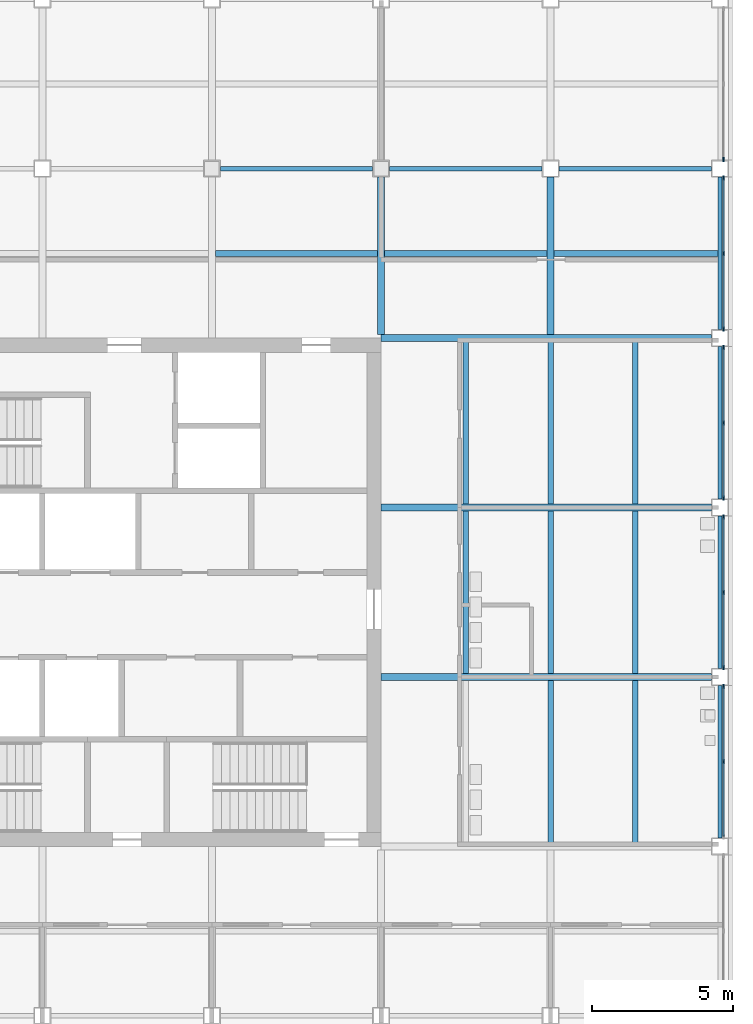
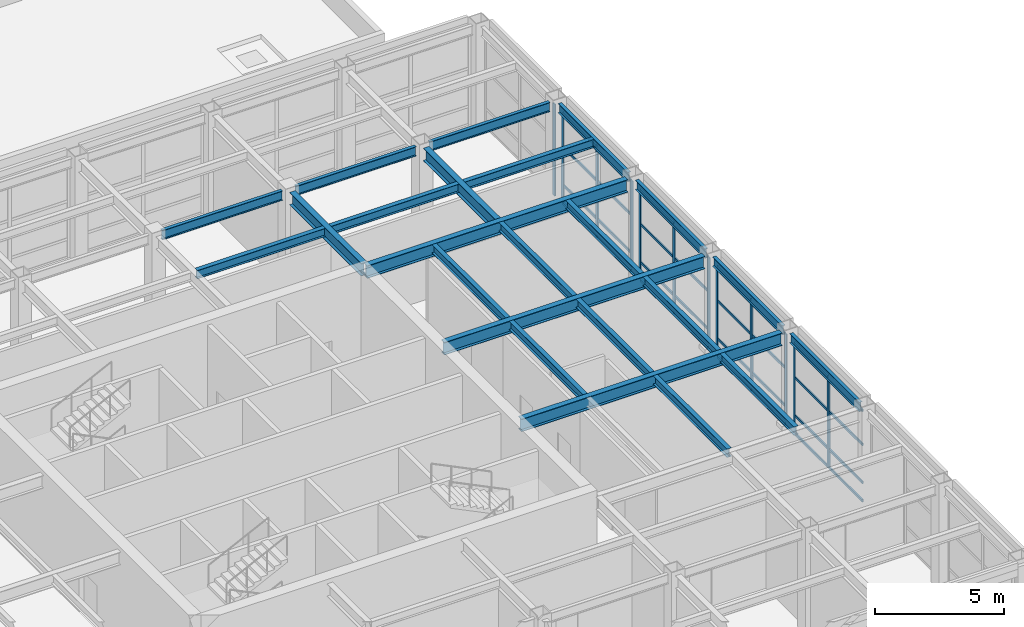
# One storey, part 13 of 67: 44 members, 23 beams, 5 elements without a shape of their own.
"""IFC4 building model written with IfcOpenShell, lengths in metres."""

from ifc_helpers import new_model, si_unit, direction, frame, origin, origin_2d, place, context, subcontext, project, spatial, rectangle, i_section, extrude, material, material_profile, profile_set, type_object, element, aggregate, save


model = new_model("IFC4")

# Units and contexts
model_context = context("Model", 3, precision=1e-05, world=origin(), true_north=direction((0.0, 1.0)))
body_context = subcontext(model_context, "Body", "Model", "MODEL_VIEW")
ifc_project = project(units=[si_unit("LENGTHUNIT", "METRE"), si_unit("AREAUNIT", "SQUARE_METRE"), si_unit("VOLUMEUNIT", "CUBIC_METRE"), si_unit("PLANEANGLEUNIT", "RADIAN"), si_unit("MASSUNIT", "GRAM", prefix="KILO")], contexts=[model_context])

# Site, building, storey
site_placement = place(None, origin())
site = spatial("IfcSite", under=ifc_project, at=site_placement, CompositionType="ELEMENT")
building_placement = place(site_placement, origin())
building = spatial("IfcBuilding", under=site, at=building_placement, Name="Aravalli Gate Trade Fair Centre", CompositionType="ELEMENT")
storey_placement = place(building_placement, frame((0.0, 0.0, 5.0)))
storey = spatial("IfcBuildingStorey", under=building, at=storey_placement, Name="L01", CompositionType="ELEMENT", Elevation=5.0)

# Beams
ifc_material_1 = material(Name="Steel E350", Category="steel")
ifc_material_profile_1 = material_profile(ifc_material_1, i_section(OverallWidth=0.25, OverallDepth=0.60009765625, WebThickness=0.01123046875, FlangeThickness=0.021240234375, at=origin_2d()), Name="ISWB 600")
ifc_profile_set_1 = profile_set([ifc_material_profile_1], Name="Steel E350")
beam_type_1 = type_object("IfcBeamType", Name="Wing core to perimeter girder ISWB 600 (podium floors)", PredefinedType="BEAM", material=ifc_profile_set_1)
for number, where, z_axis, x_axis, name in (
    (1, (190.0, 109.0, 4.5), (1.0, 0.0, 0.0), (0.0, 1.0, 0.0), "Core to perimeter girder PE1 L02"),
    (2, (190.0, 115.0, 4.5), (1.0, 0.0, 0.0), (0.0, 1.0, 0.0), "Core to perimeter girder PE2 L02"),
    (3, (190.0, 121.0, 4.5), (1.0, 0.0, 0.0), (0.0, 1.0, 0.0), "Core to perimeter girder PE3 L02"),
):
    element("IfcBeam", number, at=place(storey_placement, frame(where, z_axis=z_axis, x_axis=x_axis)), inside=storey, type_object=beam_type_1, Name=name, PredefinedType="BEAM", context=body_context, shape_type="SweptSolid", body=[
        extrude(i_section(OverallWidth=0.25, OverallDepth=0.60009765625, WebThickness=0.01123046875, FlangeThickness=0.021240234375, at=origin_2d()), origin(), (0.0, 0.0, 1.0), 11.699951171875),
    ])
beam_1_placement = place(storey_placement, frame((190.0, 121.125, 4.5), z_axis=(0.0, 1.0, 0.0), x_axis=(-1.0, 0.0, 0.0)))
element("IfcBeam", 4, at=beam_1_placement, inside=storey, type_object=beam_type_1, Name="Core to perimeter girder PN3a L02", PredefinedType="BEAM", context=body_context, shape_type="SweptSolid", body=[
    extrude(i_section(OverallWidth=0.25, OverallDepth=0.60009765625, WebThickness=0.01123046875, FlangeThickness=0.021240234375, at=origin_2d()), origin(), (0.0, 0.0, 1.0), 5.574951171875),
])
ifc_material_profile_2 = material_profile(ifc_material_1, i_section(OverallWidth=0.25, OverallDepth=0.60009765625, WebThickness=0.01123046875, FlangeThickness=0.021240234375, at=origin_2d()), Name="ISWB 600")
ifc_profile_set_2 = profile_set([ifc_material_profile_2], Name="Steel E350")
beam_type_2 = type_object("IfcBeamType", Name="Wing corner transfer girder ISWB 600 (podium floors)", PredefinedType="BEAM", material=ifc_profile_set_2)
beam_2_placement = place(storey_placement, frame((196.0, 121.125, 4.5), z_axis=(0.0, 1.0, 0.0), x_axis=(-1.0, 0.0, 0.0)))
element("IfcBeam", 5, at=beam_2_placement, inside=storey, type_object=beam_type_2, Name="Corner transfer girder CNEya L02", PredefinedType="BEAM", context=body_context, shape_type="SweptSolid", body=[
    extrude(i_section(OverallWidth=0.25, OverallDepth=0.60009765625, WebThickness=0.01123046875, FlangeThickness=0.021240234375, at=origin_2d()), origin(), (0.0, 0.0, 1.0), 5.574951171875),
])

# Curtain wall, members
ifc_material_2 = material(Name="Aluminium and glass", Category="aluminium")
curtain_wall_type = type_object("IfcCurtainWallType", Name="Wing curtain wall", PredefinedType="NOTDEFINED", material=ifc_material_2)
curtain_wall_1_placement = place(storey_placement, origin())
curtain_wall_1 = element("IfcCurtainWall", 6, at=curtain_wall_1_placement, inside=storey, type_object=curtain_wall_type, Name="Curtain wall E2 L01", PredefinedType="NOTDEFINED")
ifc_material_3 = material(Name="Aluminium", Category="aluminium")
ifc_material_profile_3 = material_profile(ifc_material_3, rectangle(XDim=0.06005859375, YDim=0.159912109375, at=origin_2d()), Name="Wing curtain wall mullion 60 x 160")
ifc_profile_set_3 = profile_set([ifc_material_profile_3], Name="Aluminium")
member_type_1 = type_object("IfcMemberType", Name="Wing curtain wall mullion 60 x 160", PredefinedType="MULLION", material=ifc_profile_set_3)
member_1_placement = place(storey_placement, frame((202.125, 106.0, 0.0), z_axis=(0.0, 0.0, 1.0), x_axis=(-1.0, 0.0, 0.0)))
member_1 = element("IfcMember", 7, at=member_1_placement, type_object=member_type_1, Name="TCW1 mullion 2", PredefinedType="MULLION", context=body_context, shape_type="SweptSolid", body=[
    extrude(rectangle(XDim=0.06005859375, YDim=0.159912109375, at=origin_2d()), origin(), (0.0, 0.0, 1.0), 4.35009765625),
])
member_2_placement = place(storey_placement, frame((202.125, 108.669921875, 0.0), z_axis=(0.0, 0.0, 1.0), x_axis=(-1.0, 0.0, 0.0)))
member_2 = element("IfcMember", 8, at=member_2_placement, type_object=member_type_1, Name="TCW1 mullion 3", PredefinedType="MULLION", context=body_context, shape_type="SweptSolid", body=[
    extrude(rectangle(XDim=0.06005859375, YDim=0.159912109375, at=origin_2d()), origin(), (0.0, 0.0, 1.0), 4.35009765625),
])

curtain_wall_2_placement = place(storey_placement, origin())
curtain_wall_2 = element("IfcCurtainWall", 9, at=curtain_wall_2_placement, inside=storey, type_object=curtain_wall_type, Name="Curtain wall E3 L01", PredefinedType="NOTDEFINED")
member_3_placement = place(storey_placement, frame((202.125, 109.330078125, 0.0), z_axis=(0.0, 0.0, 1.0), x_axis=(-1.0, 0.0, 0.0)))
member_3 = element("IfcMember", 10, at=member_3_placement, type_object=member_type_1, Name="TCW1 mullion 1", PredefinedType="MULLION", context=body_context, shape_type="SweptSolid", body=[
    extrude(rectangle(XDim=0.06005859375, YDim=0.159912109375, at=origin_2d()), origin(), (0.0, 0.0, 1.0), 4.35009765625),
])
member_4_placement = place(storey_placement, frame((202.125, 112.0, 0.0), z_axis=(0.0, 0.0, 1.0), x_axis=(-1.0, 0.0, 0.0)))
member_4 = element("IfcMember", 11, at=member_4_placement, type_object=member_type_1, Name="TCW1 mullion 2", PredefinedType="MULLION", context=body_context, shape_type="SweptSolid", body=[
    extrude(rectangle(XDim=0.06005859375, YDim=0.159912109375, at=origin_2d()), origin(), (0.0, 0.0, 1.0), 4.35009765625),
])
member_5_placement = place(storey_placement, frame((202.125, 114.669921875, 0.0), z_axis=(0.0, 0.0, 1.0), x_axis=(-1.0, 0.0, 0.0)))
member_5 = element("IfcMember", 12, at=member_5_placement, type_object=member_type_1, Name="TCW1 mullion 3", PredefinedType="MULLION", context=body_context, shape_type="SweptSolid", body=[
    extrude(rectangle(XDim=0.06005859375, YDim=0.159912109375, at=origin_2d()), origin(), (0.0, 0.0, 1.0), 4.35009765625),
])

curtain_wall_3_placement = place(storey_placement, origin())
curtain_wall_3 = element("IfcCurtainWall", 13, at=curtain_wall_3_placement, inside=storey, type_object=curtain_wall_type, Name="Curtain wall E4 L01", PredefinedType="NOTDEFINED")
member_6_placement = place(storey_placement, frame((202.125, 115.330078125, 0.0), z_axis=(0.0, 0.0, 1.0), x_axis=(-1.0, 0.0, 0.0)))
member_6 = element("IfcMember", 14, at=member_6_placement, type_object=member_type_1, Name="TCW1 mullion 1", PredefinedType="MULLION", context=body_context, shape_type="SweptSolid", body=[
    extrude(rectangle(XDim=0.06005859375, YDim=0.159912109375, at=origin_2d()), origin(), (0.0, 0.0, 1.0), 4.35009765625),
])
member_7_placement = place(storey_placement, frame((202.125, 118.0, 0.0), z_axis=(0.0, 0.0, 1.0), x_axis=(-1.0, 0.0, 0.0)))
member_7 = element("IfcMember", 15, at=member_7_placement, type_object=member_type_1, Name="TCW1 mullion 2", PredefinedType="MULLION", context=body_context, shape_type="SweptSolid", body=[
    extrude(rectangle(XDim=0.06005859375, YDim=0.159912109375, at=origin_2d()), origin(), (0.0, 0.0, 1.0), 4.35009765625),
])
member_8_placement = place(storey_placement, frame((202.125, 120.669921875, 0.0), z_axis=(0.0, 0.0, 1.0), x_axis=(-1.0, 0.0, 0.0)))
member_8 = element("IfcMember", 16, at=member_8_placement, type_object=member_type_1, Name="TCW1 mullion 3", PredefinedType="MULLION", context=body_context, shape_type="SweptSolid", body=[
    extrude(rectangle(XDim=0.06005859375, YDim=0.159912109375, at=origin_2d()), origin(), (0.0, 0.0, 1.0), 4.35009765625),
])

curtain_wall_4_placement = place(storey_placement, origin())
curtain_wall_4 = element("IfcCurtainWall", 17, at=curtain_wall_4_placement, inside=storey, type_object=curtain_wall_type, Name="Curtain wall E5 L01", PredefinedType="NOTDEFINED")
member_9_placement = place(storey_placement, frame((202.125, 121.330078125, 0.0), z_axis=(0.0, 0.0, 1.0), x_axis=(-1.0, 0.0, 0.0)))
member_9 = element("IfcMember", 18, at=member_9_placement, type_object=member_type_1, Name="TCW1 mullion 1", PredefinedType="MULLION", context=body_context, shape_type="SweptSolid", body=[
    extrude(rectangle(XDim=0.06005859375, YDim=0.159912109375, at=origin_2d()), origin(), (0.0, 0.0, 1.0), 4.35009765625),
])
member_10_placement = place(storey_placement, frame((202.125, 124.0, 0.0), z_axis=(0.0, 0.0, 1.0), x_axis=(-1.0, 0.0, 0.0)))
member_10 = element("IfcMember", 19, at=member_10_placement, type_object=member_type_1, Name="TCW1 mullion 2", PredefinedType="MULLION", context=body_context, shape_type="SweptSolid", body=[
    extrude(rectangle(XDim=0.06005859375, YDim=0.159912109375, at=origin_2d()), origin(), (0.0, 0.0, 1.0), 4.35009765625),
])
member_11_placement = place(storey_placement, frame((202.125, 126.669921875, 0.0), z_axis=(0.0, 0.0, 1.0), x_axis=(-1.0, 0.0, 0.0)))
member_11 = element("IfcMember", 20, at=member_11_placement, type_object=member_type_1, Name="TCW1 mullion 3", PredefinedType="MULLION", context=body_context, shape_type="SweptSolid", body=[
    extrude(rectangle(XDim=0.06005859375, YDim=0.159912109375, at=origin_2d()), origin(), (0.0, 0.0, 1.0), 4.35009765625),
])

# Curtain wall, member
curtain_wall_5_placement = place(storey_placement, origin())
curtain_wall_5 = element("IfcCurtainWall", 21, at=curtain_wall_5_placement, inside=storey, type_object=curtain_wall_type, Name="Curtain wall E6 L01", PredefinedType="NOTDEFINED")
member_12_placement = place(storey_placement, frame((202.125, 127.330078125, 0.0), z_axis=(0.0, 0.0, 1.0), x_axis=(-1.0, 0.0, 0.0)))
member_12 = element("IfcMember", 22, at=member_12_placement, type_object=member_type_1, Name="TCW1 mullion 1", PredefinedType="MULLION", context=body_context, shape_type="SweptSolid", body=[
    extrude(rectangle(XDim=0.06005859375, YDim=0.159912109375, at=origin_2d()), origin(), (0.0, 0.0, 1.0), 4.35009765625),
])
aggregate(curtain_wall_5, [member_12])

# Member
ifc_material_profile_4 = material_profile(ifc_material_3, rectangle(XDim=0.06005859375, YDim=0.1201171875, at=origin_2d()), Name="Wing curtain wall transom 60 x 120")
ifc_profile_set_4 = profile_set([ifc_material_profile_4], Name="Aluminium")
member_type_2 = type_object("IfcMemberType", Name="Wing curtain wall transom 60 x 120", PredefinedType="USERDEFINED", material=ifc_profile_set_4)
member_13_placement = place(storey_placement, frame((202.125, 103.360107421875, 0.030029296875), z_axis=(0.0, 1.0, 0.0), x_axis=(-1.0, 0.0, 0.0)))
member_13 = element("IfcMember", 23, at=member_13_placement, type_object=member_type_2, Name="TCW1 transom 1.1", ObjectType="TRANSOM", PredefinedType="USERDEFINED", context=body_context, shape_type="SweptSolid", body=[
    extrude(rectangle(XDim=0.06005859375, YDim=0.1201171875, at=origin_2d()), origin(), (0.0, 0.0, 1.0), 2.60986328125),
])

member_14_placement = place(storey_placement, frame((202.125, 103.360107421875, 0.89990234375), z_axis=(0.0, 1.0, 0.0), x_axis=(-1.0, 0.0, 0.0)))
member_14 = element("IfcMember", 24, at=member_14_placement, type_object=member_type_2, Name="TCW1 transom 1.2", ObjectType="TRANSOM", PredefinedType="USERDEFINED", context=body_context, shape_type="SweptSolid", body=[
    extrude(rectangle(XDim=0.06005859375, YDim=0.1201171875, at=origin_2d()), origin(), (0.0, 0.0, 1.0), 2.60986328125),
])

member_15_placement = place(storey_placement, frame((202.125, 103.360107421875, 2.699951171875), z_axis=(0.0, 1.0, 0.0), x_axis=(-1.0, 0.0, 0.0)))
member_15 = element("IfcMember", 25, at=member_15_placement, type_object=member_type_2, Name="TCW1 transom 1.3", ObjectType="TRANSOM", PredefinedType="USERDEFINED", context=body_context, shape_type="SweptSolid", body=[
    extrude(rectangle(XDim=0.06005859375, YDim=0.1201171875, at=origin_2d()), origin(), (0.0, 0.0, 1.0), 2.60986328125),
])

member_16_placement = place(storey_placement, frame((202.125, 103.360107421875, 4.320068359375), z_axis=(0.0, 1.0, 0.0), x_axis=(-1.0, 0.0, 0.0)))
member_16 = element("IfcMember", 26, at=member_16_placement, type_object=member_type_2, Name="TCW1 transom 1.4", ObjectType="TRANSOM", PredefinedType="USERDEFINED", context=body_context, shape_type="SweptSolid", body=[
    extrude(rectangle(XDim=0.06005859375, YDim=0.1201171875, at=origin_2d()), origin(), (0.0, 0.0, 1.0), 2.60986328125),
])

member_17_placement = place(storey_placement, frame((202.125, 106.030029296875, 0.030029296875), z_axis=(0.0, 1.0, 0.0), x_axis=(-1.0, 0.0, 0.0)))
member_17 = element("IfcMember", 27, at=member_17_placement, type_object=member_type_2, Name="TCW1 transom 2.1", ObjectType="TRANSOM", PredefinedType="USERDEFINED", context=body_context, shape_type="SweptSolid", body=[
    extrude(rectangle(XDim=0.06005859375, YDim=0.1201171875, at=origin_2d()), origin(), (0.0, 0.0, 1.0), 2.60986328125),
])

member_18_placement = place(storey_placement, frame((202.125, 106.030029296875, 0.89990234375), z_axis=(0.0, 1.0, 0.0), x_axis=(-1.0, 0.0, 0.0)))
member_18 = element("IfcMember", 28, at=member_18_placement, type_object=member_type_2, Name="TCW1 transom 2.2", ObjectType="TRANSOM", PredefinedType="USERDEFINED", context=body_context, shape_type="SweptSolid", body=[
    extrude(rectangle(XDim=0.06005859375, YDim=0.1201171875, at=origin_2d()), origin(), (0.0, 0.0, 1.0), 2.60986328125),
])

member_19_placement = place(storey_placement, frame((202.125, 106.030029296875, 2.699951171875), z_axis=(0.0, 1.0, 0.0), x_axis=(-1.0, 0.0, 0.0)))
member_19 = element("IfcMember", 29, at=member_19_placement, type_object=member_type_2, Name="TCW1 transom 2.3", ObjectType="TRANSOM", PredefinedType="USERDEFINED", context=body_context, shape_type="SweptSolid", body=[
    extrude(rectangle(XDim=0.06005859375, YDim=0.1201171875, at=origin_2d()), origin(), (0.0, 0.0, 1.0), 2.60986328125),
])

member_20_placement = place(storey_placement, frame((202.125, 106.030029296875, 4.320068359375), z_axis=(0.0, 1.0, 0.0), x_axis=(-1.0, 0.0, 0.0)))
member_20 = element("IfcMember", 30, at=member_20_placement, type_object=member_type_2, Name="TCW1 transom 2.4", ObjectType="TRANSOM", PredefinedType="USERDEFINED", context=body_context, shape_type="SweptSolid", body=[
    extrude(rectangle(XDim=0.06005859375, YDim=0.1201171875, at=origin_2d()), origin(), (0.0, 0.0, 1.0), 2.60986328125),
])

aggregate(curtain_wall_1, [member_1, member_2, member_13, member_14, member_15, member_16, member_17, member_18, member_19, member_20])

member_21_placement = place(storey_placement, frame((202.125, 109.360107421875, 0.030029296875), z_axis=(0.0, 1.0, 0.0), x_axis=(-1.0, 0.0, 0.0)))
member_21 = element("IfcMember", 31, at=member_21_placement, type_object=member_type_2, Name="TCW1 transom 1.1", ObjectType="TRANSOM", PredefinedType="USERDEFINED", context=body_context, shape_type="SweptSolid", body=[
    extrude(rectangle(XDim=0.06005859375, YDim=0.1201171875, at=origin_2d()), origin(), (0.0, 0.0, 1.0), 2.60986328125),
])

member_22_placement = place(storey_placement, frame((202.125, 109.360107421875, 0.89990234375), z_axis=(0.0, 1.0, 0.0), x_axis=(-1.0, 0.0, 0.0)))
member_22 = element("IfcMember", 32, at=member_22_placement, type_object=member_type_2, Name="TCW1 transom 1.2", ObjectType="TRANSOM", PredefinedType="USERDEFINED", context=body_context, shape_type="SweptSolid", body=[
    extrude(rectangle(XDim=0.06005859375, YDim=0.1201171875, at=origin_2d()), origin(), (0.0, 0.0, 1.0), 2.60986328125),
])

member_23_placement = place(storey_placement, frame((202.125, 109.360107421875, 2.699951171875), z_axis=(0.0, 1.0, 0.0), x_axis=(-1.0, 0.0, 0.0)))
member_23 = element("IfcMember", 33, at=member_23_placement, type_object=member_type_2, Name="TCW1 transom 1.3", ObjectType="TRANSOM", PredefinedType="USERDEFINED", context=body_context, shape_type="SweptSolid", body=[
    extrude(rectangle(XDim=0.06005859375, YDim=0.1201171875, at=origin_2d()), origin(), (0.0, 0.0, 1.0), 2.60986328125),
])

member_24_placement = place(storey_placement, frame((202.125, 109.360107421875, 4.320068359375), z_axis=(0.0, 1.0, 0.0), x_axis=(-1.0, 0.0, 0.0)))
member_24 = element("IfcMember", 34, at=member_24_placement, type_object=member_type_2, Name="TCW1 transom 1.4", ObjectType="TRANSOM", PredefinedType="USERDEFINED", context=body_context, shape_type="SweptSolid", body=[
    extrude(rectangle(XDim=0.06005859375, YDim=0.1201171875, at=origin_2d()), origin(), (0.0, 0.0, 1.0), 2.60986328125),
])

member_25_placement = place(storey_placement, frame((202.125, 112.030029296875, 0.030029296875), z_axis=(0.0, 1.0, 0.0), x_axis=(-1.0, 0.0, 0.0)))
member_25 = element("IfcMember", 35, at=member_25_placement, type_object=member_type_2, Name="TCW1 transom 2.1", ObjectType="TRANSOM", PredefinedType="USERDEFINED", context=body_context, shape_type="SweptSolid", body=[
    extrude(rectangle(XDim=0.06005859375, YDim=0.1201171875, at=origin_2d()), origin(), (0.0, 0.0, 1.0), 2.60986328125),
])

member_26_placement = place(storey_placement, frame((202.125, 112.030029296875, 0.89990234375), z_axis=(0.0, 1.0, 0.0), x_axis=(-1.0, 0.0, 0.0)))
member_26 = element("IfcMember", 36, at=member_26_placement, type_object=member_type_2, Name="TCW1 transom 2.2", ObjectType="TRANSOM", PredefinedType="USERDEFINED", context=body_context, shape_type="SweptSolid", body=[
    extrude(rectangle(XDim=0.06005859375, YDim=0.1201171875, at=origin_2d()), origin(), (0.0, 0.0, 1.0), 2.60986328125),
])

member_27_placement = place(storey_placement, frame((202.125, 112.030029296875, 2.699951171875), z_axis=(0.0, 1.0, 0.0), x_axis=(-1.0, 0.0, 0.0)))
member_27 = element("IfcMember", 37, at=member_27_placement, type_object=member_type_2, Name="TCW1 transom 2.3", ObjectType="TRANSOM", PredefinedType="USERDEFINED", context=body_context, shape_type="SweptSolid", body=[
    extrude(rectangle(XDim=0.06005859375, YDim=0.1201171875, at=origin_2d()), origin(), (0.0, 0.0, 1.0), 2.60986328125),
])

member_28_placement = place(storey_placement, frame((202.125, 112.030029296875, 4.320068359375), z_axis=(0.0, 1.0, 0.0), x_axis=(-1.0, 0.0, 0.0)))
member_28 = element("IfcMember", 38, at=member_28_placement, type_object=member_type_2, Name="TCW1 transom 2.4", ObjectType="TRANSOM", PredefinedType="USERDEFINED", context=body_context, shape_type="SweptSolid", body=[
    extrude(rectangle(XDim=0.06005859375, YDim=0.1201171875, at=origin_2d()), origin(), (0.0, 0.0, 1.0), 2.60986328125),
])

aggregate(curtain_wall_2, [member_3, member_4, member_5, member_21, member_22, member_23, member_24, member_25, member_26, member_27, member_28])

member_29_placement = place(storey_placement, frame((202.125, 115.360107421875, 0.030029296875), z_axis=(0.0, 1.0, 0.0), x_axis=(-1.0, 0.0, 0.0)))
member_29 = element("IfcMember", 39, at=member_29_placement, type_object=member_type_2, Name="TCW1 transom 1.1", ObjectType="TRANSOM", PredefinedType="USERDEFINED", context=body_context, shape_type="SweptSolid", body=[
    extrude(rectangle(XDim=0.06005859375, YDim=0.1201171875, at=origin_2d()), origin(), (0.0, 0.0, 1.0), 2.60986328125),
])

member_30_placement = place(storey_placement, frame((202.125, 115.360107421875, 0.89990234375), z_axis=(0.0, 1.0, 0.0), x_axis=(-1.0, 0.0, 0.0)))
member_30 = element("IfcMember", 40, at=member_30_placement, type_object=member_type_2, Name="TCW1 transom 1.2", ObjectType="TRANSOM", PredefinedType="USERDEFINED", context=body_context, shape_type="SweptSolid", body=[
    extrude(rectangle(XDim=0.06005859375, YDim=0.1201171875, at=origin_2d()), origin(), (0.0, 0.0, 1.0), 2.60986328125),
])

member_31_placement = place(storey_placement, frame((202.125, 115.360107421875, 2.699951171875), z_axis=(0.0, 1.0, 0.0), x_axis=(-1.0, 0.0, 0.0)))
member_31 = element("IfcMember", 41, at=member_31_placement, type_object=member_type_2, Name="TCW1 transom 1.3", ObjectType="TRANSOM", PredefinedType="USERDEFINED", context=body_context, shape_type="SweptSolid", body=[
    extrude(rectangle(XDim=0.06005859375, YDim=0.1201171875, at=origin_2d()), origin(), (0.0, 0.0, 1.0), 2.60986328125),
])

member_32_placement = place(storey_placement, frame((202.125, 115.360107421875, 4.320068359375), z_axis=(0.0, 1.0, 0.0), x_axis=(-1.0, 0.0, 0.0)))
member_32 = element("IfcMember", 42, at=member_32_placement, type_object=member_type_2, Name="TCW1 transom 1.4", ObjectType="TRANSOM", PredefinedType="USERDEFINED", context=body_context, shape_type="SweptSolid", body=[
    extrude(rectangle(XDim=0.06005859375, YDim=0.1201171875, at=origin_2d()), origin(), (0.0, 0.0, 1.0), 2.60986328125),
])

member_33_placement = place(storey_placement, frame((202.125, 118.030029296875, 0.030029296875), z_axis=(0.0, 1.0, 0.0), x_axis=(-1.0, 0.0, 0.0)))
member_33 = element("IfcMember", 43, at=member_33_placement, type_object=member_type_2, Name="TCW1 transom 2.1", ObjectType="TRANSOM", PredefinedType="USERDEFINED", context=body_context, shape_type="SweptSolid", body=[
    extrude(rectangle(XDim=0.06005859375, YDim=0.1201171875, at=origin_2d()), origin(), (0.0, 0.0, 1.0), 2.60986328125),
])

member_34_placement = place(storey_placement, frame((202.125, 118.030029296875, 0.89990234375), z_axis=(0.0, 1.0, 0.0), x_axis=(-1.0, 0.0, 0.0)))
member_34 = element("IfcMember", 44, at=member_34_placement, type_object=member_type_2, Name="TCW1 transom 2.2", ObjectType="TRANSOM", PredefinedType="USERDEFINED", context=body_context, shape_type="SweptSolid", body=[
    extrude(rectangle(XDim=0.06005859375, YDim=0.1201171875, at=origin_2d()), origin(), (0.0, 0.0, 1.0), 2.60986328125),
])

member_35_placement = place(storey_placement, frame((202.125, 118.030029296875, 2.699951171875), z_axis=(0.0, 1.0, 0.0), x_axis=(-1.0, 0.0, 0.0)))
member_35 = element("IfcMember", 45, at=member_35_placement, type_object=member_type_2, Name="TCW1 transom 2.3", ObjectType="TRANSOM", PredefinedType="USERDEFINED", context=body_context, shape_type="SweptSolid", body=[
    extrude(rectangle(XDim=0.06005859375, YDim=0.1201171875, at=origin_2d()), origin(), (0.0, 0.0, 1.0), 2.60986328125),
])

member_36_placement = place(storey_placement, frame((202.125, 118.030029296875, 4.320068359375), z_axis=(0.0, 1.0, 0.0), x_axis=(-1.0, 0.0, 0.0)))
member_36 = element("IfcMember", 46, at=member_36_placement, type_object=member_type_2, Name="TCW1 transom 2.4", ObjectType="TRANSOM", PredefinedType="USERDEFINED", context=body_context, shape_type="SweptSolid", body=[
    extrude(rectangle(XDim=0.06005859375, YDim=0.1201171875, at=origin_2d()), origin(), (0.0, 0.0, 1.0), 2.60986328125),
])

aggregate(curtain_wall_3, [member_6, member_7, member_8, member_29, member_30, member_31, member_32, member_33, member_34, member_35, member_36])

member_37_placement = place(storey_placement, frame((202.125, 121.360107421875, 0.030029296875), z_axis=(0.0, 1.0, 0.0), x_axis=(-1.0, 0.0, 0.0)))
member_37 = element("IfcMember", 47, at=member_37_placement, type_object=member_type_2, Name="TCW1 transom 1.1", ObjectType="TRANSOM", PredefinedType="USERDEFINED", context=body_context, shape_type="SweptSolid", body=[
    extrude(rectangle(XDim=0.06005859375, YDim=0.1201171875, at=origin_2d()), origin(), (0.0, 0.0, 1.0), 2.60986328125),
])

member_38_placement = place(storey_placement, frame((202.125, 121.360107421875, 0.89990234375), z_axis=(0.0, 1.0, 0.0), x_axis=(-1.0, 0.0, 0.0)))
member_38 = element("IfcMember", 48, at=member_38_placement, type_object=member_type_2, Name="TCW1 transom 1.2", ObjectType="TRANSOM", PredefinedType="USERDEFINED", context=body_context, shape_type="SweptSolid", body=[
    extrude(rectangle(XDim=0.06005859375, YDim=0.1201171875, at=origin_2d()), origin(), (0.0, 0.0, 1.0), 2.60986328125),
])

member_39_placement = place(storey_placement, frame((202.125, 121.360107421875, 2.699951171875), z_axis=(0.0, 1.0, 0.0), x_axis=(-1.0, 0.0, 0.0)))
member_39 = element("IfcMember", 49, at=member_39_placement, type_object=member_type_2, Name="TCW1 transom 1.3", ObjectType="TRANSOM", PredefinedType="USERDEFINED", context=body_context, shape_type="SweptSolid", body=[
    extrude(rectangle(XDim=0.06005859375, YDim=0.1201171875, at=origin_2d()), origin(), (0.0, 0.0, 1.0), 2.60986328125),
])

member_40_placement = place(storey_placement, frame((202.125, 121.360107421875, 4.320068359375), z_axis=(0.0, 1.0, 0.0), x_axis=(-1.0, 0.0, 0.0)))
member_40 = element("IfcMember", 50, at=member_40_placement, type_object=member_type_2, Name="TCW1 transom 1.4", ObjectType="TRANSOM", PredefinedType="USERDEFINED", context=body_context, shape_type="SweptSolid", body=[
    extrude(rectangle(XDim=0.06005859375, YDim=0.1201171875, at=origin_2d()), origin(), (0.0, 0.0, 1.0), 2.60986328125),
])

member_41_placement = place(storey_placement, frame((202.125, 124.030029296875, 0.030029296875), z_axis=(0.0, 1.0, 0.0), x_axis=(-1.0, 0.0, 0.0)))
member_41 = element("IfcMember", 51, at=member_41_placement, type_object=member_type_2, Name="TCW1 transom 2.1", ObjectType="TRANSOM", PredefinedType="USERDEFINED", context=body_context, shape_type="SweptSolid", body=[
    extrude(rectangle(XDim=0.06005859375, YDim=0.1201171875, at=origin_2d()), origin(), (0.0, 0.0, 1.0), 2.60986328125),
])

member_42_placement = place(storey_placement, frame((202.125, 124.030029296875, 0.89990234375), z_axis=(0.0, 1.0, 0.0), x_axis=(-1.0, 0.0, 0.0)))
member_42 = element("IfcMember", 52, at=member_42_placement, type_object=member_type_2, Name="TCW1 transom 2.2", ObjectType="TRANSOM", PredefinedType="USERDEFINED", context=body_context, shape_type="SweptSolid", body=[
    extrude(rectangle(XDim=0.06005859375, YDim=0.1201171875, at=origin_2d()), origin(), (0.0, 0.0, 1.0), 2.60986328125),
])

member_43_placement = place(storey_placement, frame((202.125, 124.030029296875, 2.699951171875), z_axis=(0.0, 1.0, 0.0), x_axis=(-1.0, 0.0, 0.0)))
member_43 = element("IfcMember", 53, at=member_43_placement, type_object=member_type_2, Name="TCW1 transom 2.3", ObjectType="TRANSOM", PredefinedType="USERDEFINED", context=body_context, shape_type="SweptSolid", body=[
    extrude(rectangle(XDim=0.06005859375, YDim=0.1201171875, at=origin_2d()), origin(), (0.0, 0.0, 1.0), 2.60986328125),
])

member_44_placement = place(storey_placement, frame((202.125, 124.030029296875, 4.320068359375), z_axis=(0.0, 1.0, 0.0), x_axis=(-1.0, 0.0, 0.0)))
member_44 = element("IfcMember", 54, at=member_44_placement, type_object=member_type_2, Name="TCW1 transom 2.4", ObjectType="TRANSOM", PredefinedType="USERDEFINED", context=body_context, shape_type="SweptSolid", body=[
    extrude(rectangle(XDim=0.06005859375, YDim=0.1201171875, at=origin_2d()), origin(), (0.0, 0.0, 1.0), 2.60986328125),
])

aggregate(curtain_wall_4, [member_9, member_10, member_11, member_37, member_38, member_39, member_40, member_41, member_42, member_43, member_44])

# Beams
ifc_material_profile_5 = material_profile(ifc_material_1, i_section(OverallWidth=0.14990234375, OverallDepth=0.449951171875, WebThickness=0.009521484375, FlangeThickness=0.017333984375, at=origin_2d()), Name="ISMB 450")
ifc_profile_set_5 = profile_set([ifc_material_profile_5], Name="Steel E350")
beam_type_3 = type_object("IfcBeamType", Name="Wing perimeter beam ISMB 450 (podium floors)", PredefinedType="BEAM", material=ifc_profile_set_5)
for number, where, z_axis, x_axis, name in (
    (55, (184.300048828125, 127.0, 4.574951171875), (1.0, 0.0, 0.0), (0.0, 1.0, 0.0), "Perimeter beam EQ4 L02"),
    (56, (190.300048828125, 127.0, 4.574951171875), (1.0, 0.0, 0.0), (0.0, 1.0, 0.0), "Perimeter beam EQ5 L02"),
    (57, (196.300048828125, 127.0, 4.574951171875), (1.0, 0.0, 0.0), (0.0, 1.0, 0.0), "Perimeter beam EQ6 L02"),
    (58, (202.0, 103.300048828125, 4.574951171875), (0.0, 1.0, 0.0), (-1.0, 0.0, 0.0), "Perimeter beam EE2 L02"),
    (59, (202.0, 109.300048828125, 4.574951171875), (0.0, 1.0, 0.0), (-1.0, 0.0, 0.0), "Perimeter beam EE3 L02"),
    (60, (202.0, 115.300048828125, 4.574951171875), (0.0, 1.0, 0.0), (-1.0, 0.0, 0.0), "Perimeter beam EE4 L02"),
    (61, (202.0, 121.300048828125, 4.574951171875), (0.0, 1.0, 0.0), (-1.0, 0.0, 0.0), "Perimeter beam EE5 L02"),
):
    element("IfcBeam", number, at=place(storey_placement, frame(where, z_axis=z_axis, x_axis=x_axis)), inside=storey, type_object=beam_type_3, Name=name, PredefinedType="BEAM", context=body_context, shape_type="SweptSolid", body=[
        extrude(i_section(OverallWidth=0.14990234375, OverallDepth=0.449951171875, WebThickness=0.009521484375, FlangeThickness=0.017333984375, at=origin_2d()), origin(), (0.0, 0.0, 1.0), 5.39990234375),
    ])
ifc_material_profile_6 = material_profile(ifc_material_1, i_section(OverallWidth=0.199951171875, OverallDepth=0.39990234375, WebThickness=0.008544921875, FlangeThickness=0.012939453125, at=origin_2d()), Name="ISWB 400")
ifc_profile_set_6 = profile_set([ifc_material_profile_6], Name="Steel E350")
beam_type_4 = type_object("IfcBeamType", Name="Wing secondary beam ISWB 400 (podium floors)", PredefinedType="BEAM", material=ifc_profile_set_6)
beam_3_placement = place(storey_placement, frame((190.125, 124.0, 4.60009765625), z_axis=(1.0, 0.0, 0.0), x_axis=(0.0, 1.0, 0.0)))
element("IfcBeam", 62, at=beam_3_placement, inside=storey, type_object=beam_type_4, Name="Secondary beam KEN00 L02", PredefinedType="BEAM", context=body_context, shape_type="SweptSolid", body=[
    extrude(i_section(OverallWidth=0.199951171875, OverallDepth=0.39990234375, WebThickness=0.008544921875, FlangeThickness=0.012939453125, at=origin_2d()), origin(), (0.0, 0.0, 1.0), 5.75),
])
beam_4_placement = place(storey_placement, frame((196.125, 124.0, 4.60009765625), z_axis=(1.0, 0.0, 0.0), x_axis=(0.0, 1.0, 0.0)))
element("IfcBeam", 63, at=beam_4_placement, inside=storey, type_object=beam_type_4, Name="Secondary beam KEN01 L02", PredefinedType="BEAM", context=body_context, shape_type="SweptSolid", body=[
    extrude(i_section(OverallWidth=0.199951171875, OverallDepth=0.39990234375, WebThickness=0.008544921875, FlangeThickness=0.012939453125, at=origin_2d()), origin(), (0.0, 0.0, 1.0), 5.800048828125),
])
for number, where, z_axis, x_axis, name in (
    (64, (196.0, 103.125, 4.60009765625), (0.0, 1.0, 0.0), (-1.0, 0.0, 0.0), "Secondary beam BE0196 L02"),
    (65, (199.0, 103.125, 4.60009765625), (0.0, 1.0, 0.0), (-1.0, 0.0, 0.0), "Secondary beam BE0199 L02"),
    (66, (193.0, 109.125, 4.60009765625), (0.0, 1.0, 0.0), (-1.0, 0.0, 0.0), "Secondary beam BE1193 L02"),
    (67, (196.0, 109.125, 4.60009765625), (0.0, 1.0, 0.0), (-1.0, 0.0, 0.0), "Secondary beam BE1196 L02"),
    (68, (199.0, 109.125, 4.60009765625), (0.0, 1.0, 0.0), (-1.0, 0.0, 0.0), "Secondary beam BE1199 L02"),
    (69, (193.0, 115.125, 4.60009765625), (0.0, 1.0, 0.0), (-1.0, 0.0, 0.0), "Secondary beam BE2193 L02"),
    (70, (196.0, 115.125, 4.60009765625), (0.0, 1.0, 0.0), (-1.0, 0.0, 0.0), "Secondary beam BE2196 L02"),
    (71, (199.0, 115.125, 4.60009765625), (0.0, 1.0, 0.0), (-1.0, 0.0, 0.0), "Secondary beam BE2199 L02"),
    (72, (184.125, 124.0, 4.60009765625), (1.0, 0.0, 0.0), (0.0, 1.0, 0.0), "Secondary beam BN2124 L02"),
):
    element("IfcBeam", number, at=place(storey_placement, frame(where, z_axis=z_axis, x_axis=x_axis)), inside=storey, type_object=beam_type_4, Name=name, PredefinedType="BEAM", context=body_context, shape_type="SweptSolid", body=[
        extrude(i_section(OverallWidth=0.199951171875, OverallDepth=0.39990234375, WebThickness=0.008544921875, FlangeThickness=0.012939453125, at=origin_2d()), origin(), (0.0, 0.0, 1.0), 5.75),
    ])

save(model, "model.ifc")
